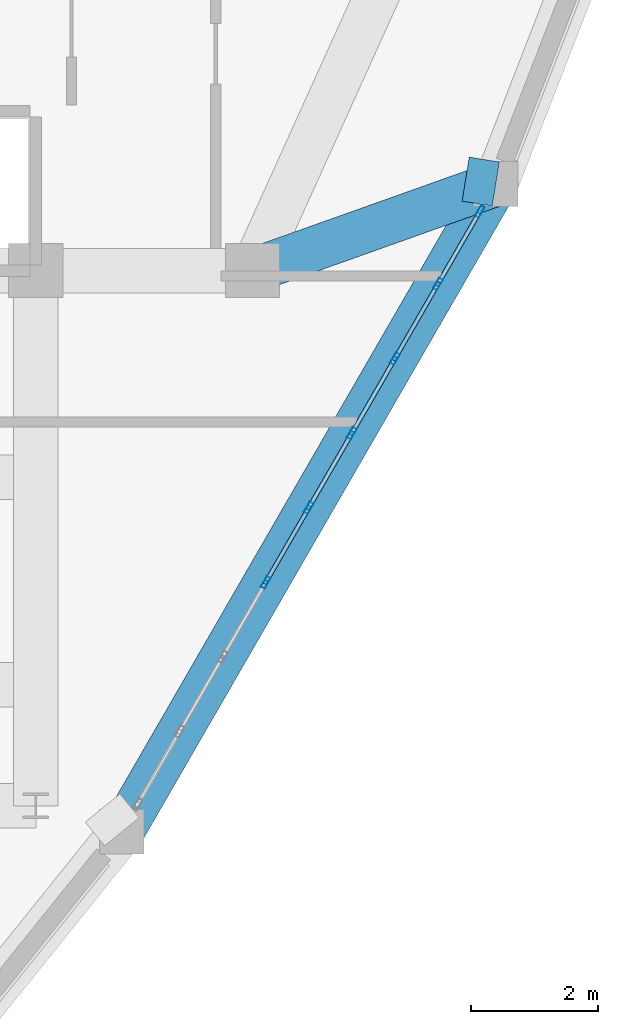
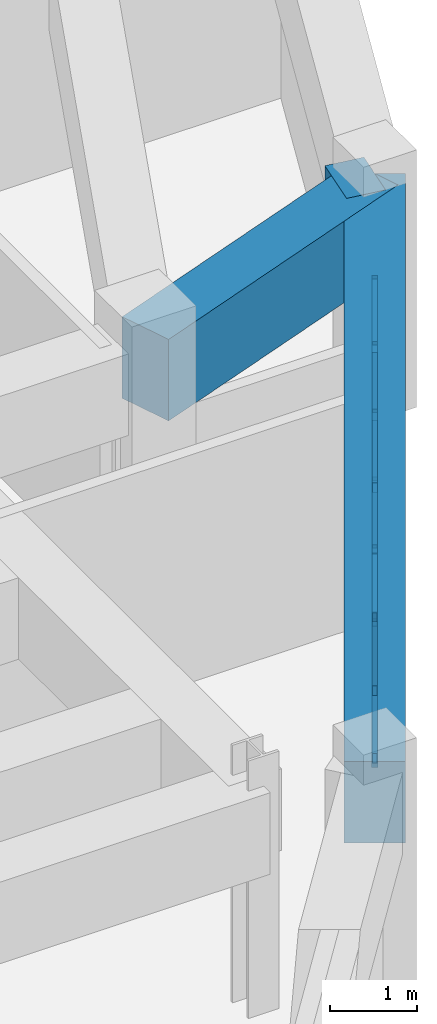
# One storey, part 7 of 14: 18 members, 3 beams, 1 element without a shape of its own.
"""IFC4 building model written with IfcOpenShell, lengths in metres."""

import ifcopenshell
import ifcopenshell.guid

model = None  # the IFC model being written
_history = None  # IfcOwnerHistory: only IFC2X3 demands one
_inside = {}  # id of a spatial element -> (the spatial element, [elements in it])
_under = {}  # id of a project, library or spatial element -> (it, [spatial elements below it])
_declared = {}  # id of a project -> (the project, [libraries it declares])
_typed = {}  # id of a type object -> (the type object, [elements of that type])
_made_of = {}  # id of a material, layer set ... -> (it, [elements and type objects made of it])


def new_model(schema):
    """Start an empty IFC model of exactly this schema.

    Asked for "IFC4X3", IfcOpenShell would pick the latest addendum, in which some entities
    have other attributes; the version numbers below select the first issue.
    IFC2X3 requires an IfcOwnerHistory on every rooted entity: one is made here for all.
    """
    global model, _history
    if schema == "IFC4X3":
        model = ifcopenshell.file(schema_version=(4, 3, 0, 0))
    else:
        model = ifcopenshell.file(schema=schema)
    _inside.clear()
    _under.clear()
    _declared.clear()
    _typed.clear()
    _made_of.clear()
    _history = None
    if model.schema == "IFC2X3":
        org = make("IfcOrganization", Name="unknown")
        user = make(
            "IfcPersonAndOrganization",
            ThePerson=make("IfcPerson", FamilyName="unknown"),
            TheOrganization=org,
        )
        app = make(
            "IfcApplication",
            ApplicationDeveloper=org,
            Version="unknown",
            ApplicationFullName="unknown",
            ApplicationIdentifier="unknown",
        )
        _history = make(
            "IfcOwnerHistory",
            OwningUser=user,
            OwningApplication=app,
            ChangeAction="ADDED",
            CreationDate=0,
        )
    return model


def make(cls, **values):
    """One entity of the class cls with the attributes given. An attribute that is None is left unset."""
    return model.create_entity(
        cls, **{name: value for name, value in values.items() if value is not None}
    )


def rooted(cls, **values):
    """An entity with a GlobalId (a new one), such as an element, a storey or a relation."""
    return make(cls, GlobalId=ifcopenshell.guid.new(), OwnerHistory=_history, **values)


def si_unit(unit_type, name, prefix=None):
    """IfcSIUnit, for example si_unit("LENGTHUNIT", "METRE", prefix="MILLI")."""
    return make("IfcSIUnit", UnitType=unit_type, Prefix=prefix, Name=name)


def derived_unit(unit_type, elements):
    """IfcDerivedUnit: a product of units, each with its exponent."""
    return make(
        "IfcDerivedUnit",
        Elements=[
            make("IfcDerivedUnitElement", Unit=unit, Exponent=power)
            for unit, power in elements
        ],
        UnitType=unit_type,
    )


def assignment(units):
    """IfcUnitAssignment: the units of a project."""
    return None if units is None else make("IfcUnitAssignment", Units=units)


def point(xyz):
    """IfcCartesianPoint."""
    return None if xyz is None else make("IfcCartesianPoint", Coordinates=xyz)


def direction(xyz):
    """IfcDirection."""
    return None if xyz is None else make("IfcDirection", DirectionRatios=xyz)


def frame(location, z_axis=None, x_axis=None):
    """IfcAxis2Placement3D, a coordinate frame: its origin and axes. An axis left out is left unset."""
    return make(
        "IfcAxis2Placement3D",
        Location=point(location),
        Axis=direction(z_axis),
        RefDirection=direction(x_axis),
    )


def frame_2d(location, x_axis=None):
    """IfcAxis2Placement2D, a coordinate frame in the plane: its origin and x axis."""
    return make(
        "IfcAxis2Placement2D", Location=point(location), RefDirection=direction(x_axis)
    )


def origin():
    """The frame at (0, 0, 0) with its axes left unset."""
    return frame((0.0, 0.0, 0.0))


def origin_2d():
    """The frame at (0, 0) in the plane with its x axis left unset."""
    return frame_2d((0.0, 0.0))


def place(relative_to, where):
    """IfcLocalPlacement: puts the frame where relative to a parent placement (None: the world)."""
    return make(
        "IfcLocalPlacement", PlacementRelTo=relative_to, RelativePlacement=where
    )


def context(
    kind, dimensions, precision=None, world=None, true_north=None, identifier=None
):
    """IfcGeometricRepresentationContext, for example the 3D "Model" context."""
    return make(
        "IfcGeometricRepresentationContext",
        ContextIdentifier=identifier,
        ContextType=kind,
        CoordinateSpaceDimension=dimensions,
        Precision=precision,
        WorldCoordinateSystem=world,
        TrueNorth=true_north,
    )


def subcontext(parent, identifier, kind, view, scale=None):
    """IfcGeometricRepresentationSubContext, for example "Body" below "Model"."""
    return make(
        "IfcGeometricRepresentationSubContext",
        ContextIdentifier=identifier,
        ContextType=kind,
        ParentContext=parent,
        TargetScale=scale,
        TargetView=view,
    )


def project(units=None, contexts=None):
    """IfcProject with its units and contexts."""
    return rooted(
        "IfcProject",
        Name="project",
        RepresentationContexts=contexts,
        UnitsInContext=assignment(units),
    )


def spatial(cls, under=None, at=None, **own):
    """A site, building, storey or space (cls), placed at a placement, below another one or the project."""
    s = rooted(cls, ObjectPlacement=at, **own)
    if under is not None:
        _under.setdefault(under.id(), (under, []))[1].append(s)
    return s


def profile(cls, at=None, kind="AREA", **sizes):
    """A parametric profile (cls). Its sizes go by their IFC names, for example OverallWidth=200.0."""
    return make(cls, ProfileType=kind, Position=at, **sizes)


def rectangle(**sizes):
    """IfcRectangleProfileDef."""
    return profile("IfcRectangleProfileDef", **sizes)


def hollow_rectangle(**sizes):
    """IfcRectangleHollowProfileDef."""
    return profile("IfcRectangleHollowProfileDef", **sizes)


def extrude(swept, where, along, depth):
    """IfcExtrudedAreaSolid: the profile swept, set in the frame where, extruded along a direction by depth."""
    return make(
        "IfcExtrudedAreaSolid",
        SweptArea=swept,
        Position=where,
        ExtrudedDirection=direction(along),
        Depth=depth,
    )


def shape(context_of_items, identifier, shape_type, items):
    """IfcShapeRepresentation: the items that make up one representation, for example the "Body"."""
    return make(
        "IfcShapeRepresentation",
        ContextOfItems=context_of_items,
        RepresentationIdentifier=identifier,
        RepresentationType=shape_type,
        Items=items,
    )


def source(mapping_origin, context_of_items, identifier, shape_type, items):
    """IfcRepresentationMap: a shape defined once, which mapped items show again and again."""
    return make(
        "IfcRepresentationMap",
        MappingOrigin=mapping_origin,
        MappedRepresentation=shape(context_of_items, identifier, shape_type, items),
    )


def transform(
    local_origin,
    x_axis=None,
    y_axis=None,
    z_axis=None,
    scale=None,
    scale2=None,
    scale3=None,
    uniform=True,
):
    """IfcCartesianTransformationOperator3D, or its non-uniform kind. x_axis, y_axis, z_axis: its Axis1, 2, 3."""
    if uniform:
        return make(
            "IfcCartesianTransformationOperator3D",
            Axis1=direction(x_axis),
            Axis2=direction(y_axis),
            LocalOrigin=point(local_origin),
            Scale=scale,
            Axis3=direction(z_axis),
        )
    return make(
        "IfcCartesianTransformationOperator3DnonUniform",
        Axis1=direction(x_axis),
        Axis2=direction(y_axis),
        LocalOrigin=point(local_origin),
        Scale=scale,
        Axis3=direction(z_axis),
        Scale2=scale2,
        Scale3=scale3,
    )


def mapped(mapping_source, mapping_target):
    """IfcMappedItem: shows the shape of a source again, moved by a transform."""
    return make(
        "IfcMappedItem", MappingSource=mapping_source, MappingTarget=mapping_target
    )


def material(Name=None, Category=None):
    """IfcMaterial."""
    return make("IfcMaterial", Name=Name, Category=Category)


def layer(
    of_material, thickness, ventilated=None, Name=None, Category=None, Priority=None
):
    """IfcMaterialLayer: one layer of a wall or slab, of a material (None: an air gap)."""
    return make(
        "IfcMaterialLayer",
        Material=of_material,
        LayerThickness=thickness,
        IsVentilated=ventilated,
        Name=Name,
        Category=Category,
        Priority=Priority,
    )


def layer_set(layers, Name=None):
    """IfcMaterialLayerSet."""
    return make("IfcMaterialLayerSet", MaterialLayers=layers, LayerSetName=Name)


def material_profile(
    of_material, cross_section, Name=None, Category=None, Priority=None
):
    """IfcMaterialProfile: a cross section and its material."""
    return make(
        "IfcMaterialProfile",
        Name=Name,
        Material=of_material,
        Profile=cross_section,
        Priority=Priority,
        Category=Category,
    )


def profile_set(profiles, Name=None, composite=None):
    """IfcMaterialProfileSet."""
    return make(
        "IfcMaterialProfileSet",
        Name=Name,
        MaterialProfiles=profiles,
        CompositeProfile=composite,
    )


def made_of(thing, what):
    """Note that an element or type object is made of a material, layer set ...; save() writes the relation."""
    if what is not None:
        _made_of.setdefault(what.id(), (what, []))[1].append(thing)
    return thing


def type_object(cls, material=None, **own):
    """A type object (cls), such as IfcWallType, which elements share."""
    return made_of(rooted(cls, **own), material)


def element(
    cls,
    number,
    at=None,
    inside=None,
    cuts=None,
    type_object=None,
    material=None,
    context=None,
    identifier="Body",
    shape_type=None,
    held_by="IfcProductDefinitionShape",
    body=None,
    shapes=None,
    **own,
):
    """One element of the class cls, such as IfcWall. Its Tag is "e" and its number.

    at: its placement. inside: the storey or other place that contains it. cuts: it is an
    opening in that element (IfcRelVoidsElement). A single representation is given by context,
    identifier, shape_type and body (its items); several are given by shapes. held_by: the class
    of the entity that holds the representations. save() writes the other relations.
    """
    e = rooted(cls, Tag="e%d" % number, ObjectPlacement=at, **own)
    if body is not None:
        shapes = [shape(context, identifier, shape_type, body)]
    if shapes is not None:
        e.Representation = make(held_by, Representations=shapes)
    if inside is not None:
        _inside.setdefault(inside.id(), (inside, []))[1].append(e)
    if cuts is not None:
        rooted(
            "IfcRelVoidsElement", RelatingBuildingElement=cuts, RelatedOpeningElement=e
        )
    if type_object is not None:
        _typed.setdefault(type_object.id(), (type_object, []))[1].append(e)
    return made_of(e, material)


def aggregate(whole, parts):
    """IfcRelAggregates: a whole, such as a stair, and the parts it consists of."""
    return rooted("IfcRelAggregates", RelatingObject=whole, RelatedObjects=parts)


def save(model, path):
    """Write the relations noted so far, then the file.

    IfcRelAggregates (storeys below a building ...), IfcRelContainedInSpatialStructure (elements
    in a storey), IfcRelDefinesByType, IfcRelAssociatesMaterial and IfcRelDeclares: one each for
    every whole, place, type object, material and project.
    """
    for whole, parts in _under.values():
        aggregate(whole, parts)
    for where, things in _inside.values():
        rooted(
            "IfcRelContainedInSpatialStructure",
            RelatedElements=things,
            RelatingStructure=where,
        )
    for kind, things in _typed.values():
        rooted("IfcRelDefinesByType", RelatedObjects=things, RelatingType=kind)
    for what, things in _made_of.values():
        rooted("IfcRelAssociatesMaterial", RelatedObjects=things, RelatingMaterial=what)
    for by, libraries in _declared.values():
        rooted("IfcRelDeclares", RelatingContext=by, RelatedDefinitions=libraries)
    model.write(path)


model = new_model("IFC4")

# Units and contexts
model_context = context("Model", 3, precision=1e-05, world=origin(), true_north=direction((0.0, 1.0)))
body_context = subcontext(model_context, "Body", "Model", "MODEL_VIEW")
ifc_project = project(units=[si_unit("LENGTHUNIT", "METRE"), si_unit("AREAUNIT", "SQUARE_METRE"), si_unit("VOLUMEUNIT", "CUBIC_METRE"), si_unit("PLANEANGLEUNIT", "RADIAN"), si_unit("MASSUNIT", "GRAM", prefix="KILO"), derived_unit("THERMALTRANSMITTANCEUNIT", [(si_unit("POWERUNIT", "WATT"), 1), (si_unit("LENGTHUNIT", "METRE"), -2), (si_unit("THERMODYNAMICTEMPERATUREUNIT", "KELVIN"), -1)])], contexts=[model_context])

# Site, building, storey
site_placement = place(None, origin())
site = spatial("IfcSite", under=ifc_project, at=site_placement, CompositionType="ELEMENT")
building_placement = place(site_placement, origin())
building = spatial("IfcBuilding", under=site, at=building_placement, Name="Korsvarv Bourse and Concert Hall", CompositionType="ELEMENT")
storey_placement = place(building_placement, frame((0.0, 0.0, 271.800048828125)))
storey = spatial("IfcBuildingStorey", under=building, at=storey_placement, Name="L71", CompositionType="ELEMENT", Elevation=271.800048828125)

# Beams
ifc_material_1 = material(Name="Concrete C50/60", Category="concrete")
ifc_material_profile_1 = material_profile(ifc_material_1, rectangle(XDim=0.699951171875, YDim=1.139892578125, at=origin_2d()), Name="RC-BM 700x1140")
ifc_profile_set_1 = profile_set([ifc_material_profile_1], Name="Concrete C50/60")
beam_type = type_object("IfcBeamType", Name="BM-TR-114", PredefinedType="BEAM", material=ifc_profile_set_1)
shared_shape_1 = source(origin(), body_context, "Body", "SweptSolid", [
    extrude(rectangle(XDim=0.699951171875, YDim=1.139892578125, at=origin_2d()), origin(), (0.0, 0.0, 1.0), 11.739013671875),
])
beam_1_placement = place(storey_placement, frame((45.749755859375, 23.593505859375, 2.60986328125), z_axis=(0.499993096883, 0.866029389264, 0.0), x_axis=(-0.866029389264, 0.499993096883, 0.0)))
element("IfcBeam", 1, at=beam_1_placement, inside=storey, type_object=beam_type, Name="L71 beam B-TR5", PredefinedType="BEAM", context=body_context, shape_type="MappedRepresentation", body=[
    mapped(shared_shape_1, transform((0.0, 0.0, 0.0), scale=1.0)),
])
shared_shape_2 = source(origin(), body_context, "Body", "SweptSolid", [
    extrude(rectangle(XDim=0.699951171875, YDim=1.139892578125, at=origin_2d()), origin(), (0.0, 0.0, 1.0), 4.053955078125),
])
beam_2_placement = place(storey_placement, frame((51.619140625, 33.759765625, 2.60986328125), z_axis=(-0.94206167273, -0.335439718539, 0.0), x_axis=(0.335439718539, -0.94206167273, 0.0)))
element("IfcBeam", 2, at=beam_2_placement, inside=storey, type_object=beam_type, Name="L71 beam B-TR5", PredefinedType="BEAM", context=body_context, shape_type="MappedRepresentation", body=[
    mapped(shared_shape_2, transform((0.0, 0.0, 0.0), scale=1.0)),
])
shared_shape_3 = source(origin(), body_context, "Body", "SweptSolid", [
    extrude(rectangle(XDim=0.699951171875, YDim=1.139892578125, at=origin_2d()), origin(), (0.0, 0.0, 1.0), 0.478271484375),
])
beam_3_placement = place(storey_placement, frame((51.619140625, 33.759765625, 2.60986328125), z_axis=(-0.987316085206, 0.158766960961, 0.0), x_axis=(-0.158766960961, -0.987316085206, 0.0)))
element("IfcBeam", 3, at=beam_3_placement, inside=storey, type_object=beam_type, Name="L71 beam B-TR5", PredefinedType="BEAM", context=body_context, shape_type="MappedRepresentation", body=[
    mapped(shared_shape_3, transform((0.0, 0.0, 0.0), scale=1.0)),
])

# Curtain wall, members
ifc_material_2 = material(Name="Anodised aluminium and triple low-E glazing", Category="glass")
ifc_layer = layer(ifc_material_2, 0.199951171875)
ifc_layer_set = layer_set([ifc_layer], Name="Anodised aluminium and triple low-E glazing")
curtain_wall_type = type_object("IfcCurtainWallType", Name="CW-SYS-3", PredefinedType="NOTDEFINED", material=ifc_layer_set)
curtain_wall_placement = place(storey_placement, origin())
curtain_wall = element("IfcCurtainWall", 4, at=curtain_wall_placement, inside=storey, type_object=curtain_wall_type, Name="L71 CW3 curtain wall CW-L71-F11", PredefinedType="NOTDEFINED")
ifc_material_3 = material(Name="Extruded aluminium EN AW-6063 T66", Category="aluminium")
ifc_material_profile_2 = material_profile(ifc_material_3, hollow_rectangle(XDim=0.070068359375, YDim=0.18994140625, WallThickness=0.0048828125, at=origin_2d()), Name="ALU-M 70x190")
ifc_profile_set_2 = profile_set([ifc_material_profile_2], Name="Extruded aluminium EN AW-6063 T66")
member_type_1 = type_object("IfcMemberType", Name="CWM-190", PredefinedType="MULLION", material=ifc_profile_set_2)
shared_shape_4 = source(origin(), body_context, "Body", "SweptSolid", [
    extrude(hollow_rectangle(XDim=0.070068359375, YDim=0.18994140625, WallThickness=0.0048828125, at=origin_2d()), origin(), (0.0, 0.0, 1.0), 2.0400390625),
])
member_1_placement = place(storey_placement, frame((48.008544921875, 27.505859375, 0.0), z_axis=(0.0, 0.0, 1.0), x_axis=(-0.866022834448, 0.500004450195, 0.0)))
member_1 = element("IfcMember", 5, at=member_1_placement, type_object=member_type_1, Name="CW3 mullion 4", PredefinedType="MULLION", context=body_context, shape_type="MappedRepresentation", body=[
    mapped(shared_shape_4, transform((0.0, 0.0, 0.0), scale=1.0)),
])
member_2_placement = place(storey_placement, frame((48.6845703125, 28.6767578125, 0.0), z_axis=(0.0, 0.0, 1.0), x_axis=(-0.866022834448, 0.500004450195, 0.0)))
member_2 = element("IfcMember", 6, at=member_2_placement, type_object=member_type_1, Name="CW3 mullion 5", PredefinedType="MULLION", context=body_context, shape_type="MappedRepresentation", body=[
    mapped(shared_shape_4, transform((0.0, 0.0, 0.0), scale=1.0)),
])
member_3_placement = place(storey_placement, frame((49.3603515625, 29.847412109375, 0.0), z_axis=(0.0, 0.0, 1.0), x_axis=(-0.866022834448, 0.500004450195, 0.0)))
member_3 = element("IfcMember", 7, at=member_3_placement, type_object=member_type_1, Name="CW3 mullion 6", PredefinedType="MULLION", context=body_context, shape_type="MappedRepresentation", body=[
    mapped(shared_shape_4, transform((0.0, 0.0, 0.0), scale=1.0)),
])
member_4_placement = place(storey_placement, frame((50.036376953125, 31.018310546875, 0.0), z_axis=(0.0, 0.0, 1.0), x_axis=(-0.866022834448, 0.500004450195, 0.0)))
member_4 = element("IfcMember", 8, at=member_4_placement, type_object=member_type_1, Name="CW3 mullion 7", PredefinedType="MULLION", context=body_context, shape_type="MappedRepresentation", body=[
    mapped(shared_shape_4, transform((0.0, 0.0, 0.0), scale=1.0)),
])
member_5_placement = place(storey_placement, frame((50.71240234375, 32.18896484375, 0.0), z_axis=(0.0, 0.0, 1.0), x_axis=(-0.866022834448, 0.500004450195, 0.0)))
member_5 = element("IfcMember", 9, at=member_5_placement, type_object=member_type_1, Name="CW3 mullion 8", PredefinedType="MULLION", context=body_context, shape_type="MappedRepresentation", body=[
    mapped(shared_shape_4, transform((0.0, 0.0, 0.0), scale=1.0)),
])
member_6_placement = place(storey_placement, frame((51.370849609375, 33.32958984375, 0.0), z_axis=(0.0, 0.0, 1.0), x_axis=(-0.866022834448, 0.500004450195, 0.0)))
member_6 = element("IfcMember", 10, at=member_6_placement, type_object=member_type_1, Name="CW3 mullion 9", PredefinedType="MULLION", context=body_context, shape_type="MappedRepresentation", body=[
    mapped(shared_shape_4, transform((0.0, 0.0, 0.0), scale=1.0)),
])
ifc_material_profile_3 = material_profile(ifc_material_3, hollow_rectangle(XDim=0.06494140625, YDim=0.139892578125, WallThickness=0.00390625, at=origin_2d()), Name="ALU-T 65x140")
ifc_profile_set_3 = profile_set([ifc_material_profile_3], Name="Extruded aluminium EN AW-6063 T66")
member_type_2 = type_object("IfcMemberType", Name="CWT-140", PredefinedType="USERDEFINED", material=ifc_profile_set_3)
shared_shape_5 = source(origin(), body_context, "Body", "SweptSolid", [
    extrude(hollow_rectangle(XDim=0.06494140625, YDim=0.139892578125, WallThickness=0.00390625, at=origin_2d()), origin(), (0.0, 0.0, 1.0), 1.246826171875),
])
member_7_placement = place(storey_placement, frame((50.729736328125, 32.21923828125, 0.032470703125), z_axis=(0.500055764683, 0.865993205636, 0.0), x_axis=(-0.865993205636, 0.500055764683, 0.0)))
member_7 = element("IfcMember", 11, at=member_7_placement, type_object=member_type_2, Name="CW3 transom 8.1", ObjectType="TRANSOM", PredefinedType="USERDEFINED", context=body_context, shape_type="MappedRepresentation", body=[
    mapped(shared_shape_5, transform((0.0, 0.0, 0.0), scale=1.0)),
])
member_8_placement = place(storey_placement, frame((50.729736328125, 32.21923828125, 2.007568359375), z_axis=(0.500055764683, 0.865993205636, 0.0), x_axis=(-0.865993205636, 0.500055764683, 0.0)))
member_8 = element("IfcMember", 12, at=member_8_placement, type_object=member_type_2, Name="CW3 transom 8.2", ObjectType="TRANSOM", PredefinedType="USERDEFINED", context=body_context, shape_type="MappedRepresentation", body=[
    mapped(shared_shape_5, transform((0.0, 0.0, 0.0), scale=1.0)),
])
shared_shape_6 = source(origin(), body_context, "Body", "SweptSolid", [
    extrude(hollow_rectangle(XDim=0.06494140625, YDim=0.139892578125, WallThickness=0.00390625, at=origin_2d()), origin(), (0.0, 0.0, 1.0), 1.28173828125),
])
member_9_placement = place(storey_placement, frame((49.3779296875, 29.877685546875, 0.032470703125), z_axis=(0.49996976238, 0.866042860778, 0.0), x_axis=(-0.866042860778, 0.49996976238, 0.0)))
member_9 = element("IfcMember", 13, at=member_9_placement, type_object=member_type_2, Name="CW3 transom 6.1", ObjectType="TRANSOM", PredefinedType="USERDEFINED", context=body_context, shape_type="MappedRepresentation", body=[
    mapped(shared_shape_6, transform((0.0, 0.0, 0.0), scale=1.0)),
])
member_10_placement = place(storey_placement, frame((49.3779296875, 29.877685546875, 2.007568359375), z_axis=(0.49996976238, 0.866042860778, 0.0), x_axis=(-0.866042860778, 0.49996976238, 0.0)))
member_10 = element("IfcMember", 14, at=member_10_placement, type_object=member_type_2, Name="CW3 transom 6.2", ObjectType="TRANSOM", PredefinedType="USERDEFINED", context=body_context, shape_type="MappedRepresentation", body=[
    mapped(shared_shape_6, transform((0.0, 0.0, 0.0), scale=1.0)),
])
member_11_placement = place(storey_placement, frame((50.053955078125, 31.048583984375, 0.032470703125), z_axis=(0.49996976238, 0.866042860778, 0.0), x_axis=(-0.866042860778, 0.49996976238, 0.0)))
member_11 = element("IfcMember", 15, at=member_11_placement, type_object=member_type_2, Name="CW3 transom 7.1", ObjectType="TRANSOM", PredefinedType="USERDEFINED", context=body_context, shape_type="MappedRepresentation", body=[
    mapped(shared_shape_6, transform((0.0, 0.0, 0.0), scale=1.0)),
])
member_12_placement = place(storey_placement, frame((50.053955078125, 31.048583984375, 2.007568359375), z_axis=(0.49996976238, 0.866042860778, 0.0), x_axis=(-0.866042860778, 0.49996976238, 0.0)))
member_12 = element("IfcMember", 16, at=member_12_placement, type_object=member_type_2, Name="CW3 transom 7.2", ObjectType="TRANSOM", PredefinedType="USERDEFINED", context=body_context, shape_type="MappedRepresentation", body=[
    mapped(shared_shape_6, transform((0.0, 0.0, 0.0), scale=1.0)),
])
shared_shape_7 = source(origin(), body_context, "Body", "SweptSolid", [
    extrude(hollow_rectangle(XDim=0.06494140625, YDim=0.139892578125, WallThickness=0.00390625, at=origin_2d()), origin(), (0.0, 0.0, 1.0), 1.281982421875),
])
member_13_placement = place(storey_placement, frame((48.02587890625, 27.5361328125, 0.032470703125), z_axis=(0.500112596238, 0.865960386556, 0.0), x_axis=(-0.865960386556, 0.500112596238, 0.0)))
member_13 = element("IfcMember", 17, at=member_13_placement, type_object=member_type_2, Name="CW3 transom 4.1", ObjectType="TRANSOM", PredefinedType="USERDEFINED", context=body_context, shape_type="MappedRepresentation", body=[
    mapped(shared_shape_7, transform((0.0, 0.0, 0.0), scale=1.0)),
])
member_14_placement = place(storey_placement, frame((48.02587890625, 27.5361328125, 2.007568359375), z_axis=(0.500112596238, 0.865960386556, 0.0), x_axis=(-0.865960386556, 0.500112596238, 0.0)))
member_14 = element("IfcMember", 18, at=member_14_placement, type_object=member_type_2, Name="CW3 transom 4.2", ObjectType="TRANSOM", PredefinedType="USERDEFINED", context=body_context, shape_type="MappedRepresentation", body=[
    mapped(shared_shape_7, transform((0.0, 0.0, 0.0), scale=1.0)),
])
member_15_placement = place(storey_placement, frame((48.701904296875, 28.70703125, 0.032470703125), z_axis=(0.500112596238, 0.865960386556, 0.0), x_axis=(-0.865960386556, 0.500112596238, 0.0)))
member_15 = element("IfcMember", 19, at=member_15_placement, type_object=member_type_2, Name="CW3 transom 5.1", ObjectType="TRANSOM", PredefinedType="USERDEFINED", context=body_context, shape_type="MappedRepresentation", body=[
    mapped(shared_shape_7, transform((0.0, 0.0, 0.0), scale=1.0)),
])
member_16_placement = place(storey_placement, frame((48.701904296875, 28.70703125, 2.007568359375), z_axis=(0.500112596238, 0.865960386556, 0.0), x_axis=(-0.865960386556, 0.500112596238, 0.0)))
member_16 = element("IfcMember", 20, at=member_16_placement, type_object=member_type_2, Name="CW3 transom 5.2", ObjectType="TRANSOM", PredefinedType="USERDEFINED", context=body_context, shape_type="MappedRepresentation", body=[
    mapped(shared_shape_7, transform((0.0, 0.0, 0.0), scale=1.0)),
])
ifc_material_profile_4 = material_profile(ifc_material_3, hollow_rectangle(XDim=0.06494140625, YDim=0.1650390625, WallThickness=0.0048828125, at=origin_2d()), Name="ALU-M 65x165")
ifc_profile_set_4 = profile_set([ifc_material_profile_4], Name="Extruded aluminium EN AW-6063 T66")
member_type_3 = type_object("IfcMemberType", Name="CWM-165", PredefinedType="MULLION", material=ifc_profile_set_4)
shared_shape_8 = source(origin(), body_context, "Body", "SweptSolid", [
    extrude(hollow_rectangle(XDim=0.06494140625, YDim=0.1650390625, WallThickness=0.0048828125, at=origin_2d()), origin(), (0.0, 0.0, 1.0), 2.30029296875),
])
member_17_placement = place(storey_placement, frame((48.6669921875, 28.646240234375, 0.06494140625), z_axis=(-0.27871516475, -0.482603904844, 0.83030797176), x_axis=(0.865960386556, -0.500112596238, 0.0)))
member_17 = element("IfcMember", 21, at=member_17_placement, type_object=member_type_3, Name="CW3 diagonal mullion 4", PredefinedType="MULLION", context=body_context, shape_type="MappedRepresentation", body=[
    mapped(shared_shape_8, transform((0.0, 0.0, 0.0), scale=1.0)),
])
member_18_placement = place(storey_placement, frame((50.053955078125, 31.048583984375, 0.06494140625), z_axis=(0.278617268566, 0.482618179113, 0.830332530283), x_axis=(-0.866042860778, 0.49996976238, 0.0)))
member_18 = element("IfcMember", 22, at=member_18_placement, type_object=member_type_3, Name="CW3 diagonal mullion 7", PredefinedType="MULLION", context=body_context, shape_type="MappedRepresentation", body=[
    mapped(shared_shape_8, transform((0.0, 0.0, 0.0), scale=1.0)),
])
aggregate(curtain_wall, [member_1, member_2, member_3, member_4, member_5, member_6, member_13, member_14, member_17, member_15, member_16, member_9, member_10, member_11, member_12, member_18, member_7, member_8])

save(model, "model.ifc")
